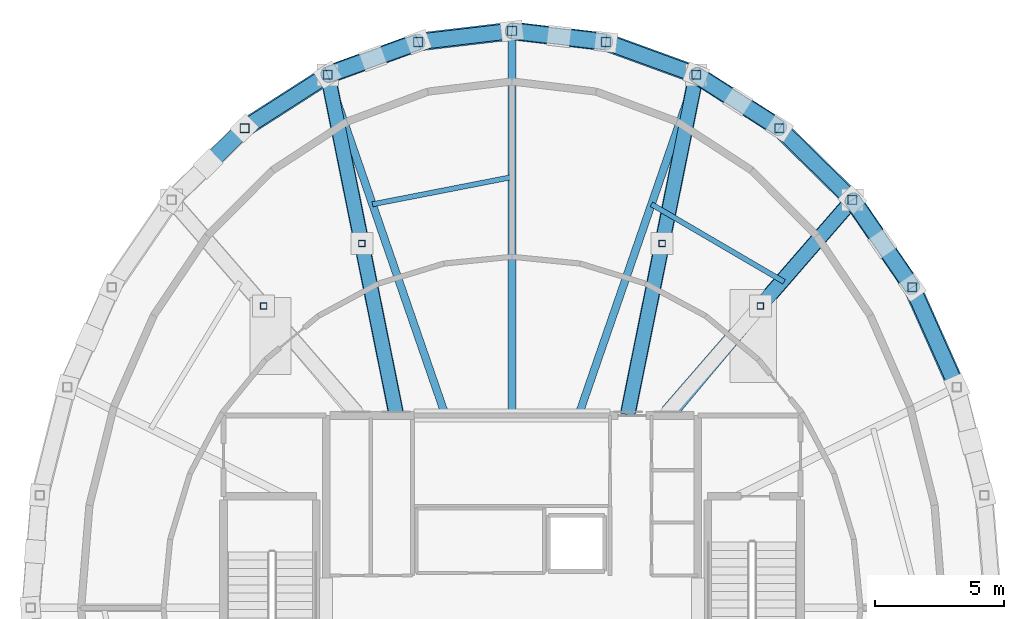
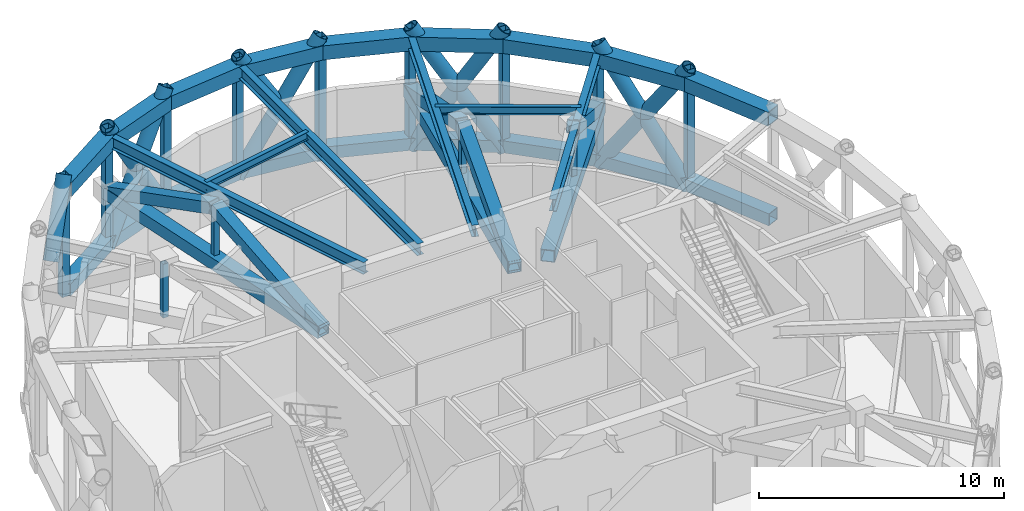
# One storey, part 4 of 11: 31 members, 27 beams.
"""IFC4 building model written with IfcOpenShell, lengths in metres."""

from ifc_helpers import new_model, si_unit, direction, frame, origin, origin_2d, place, context, subcontext, project, spatial, hollow_rectangle, hollow_circle, i_section, extrude, material, material_profile, profile_set, type_object, element, save


model = new_model("IFC4")

# Units and contexts
model_context = context("Model", 3, precision=1e-05, world=origin(), true_north=direction((0.0, 1.0)))
body_context = subcontext(model_context, "Body", "Model", "MODEL_VIEW")
ifc_project = project(units=[si_unit("LENGTHUNIT", "METRE"), si_unit("AREAUNIT", "SQUARE_METRE"), si_unit("VOLUMEUNIT", "CUBIC_METRE"), si_unit("PLANEANGLEUNIT", "RADIAN"), si_unit("MASSUNIT", "GRAM", prefix="KILO")], contexts=[model_context])

# Site, building, storey
site_placement = place(None, origin())
site = spatial("IfcSite", under=ifc_project, at=site_placement, CompositionType="ELEMENT")
building_placement = place(site_placement, origin())
building = spatial("IfcBuilding", under=site, at=building_placement, Name="Veldorina Hangang Commons", CompositionType="ELEMENT")
storey_placement = place(building_placement, frame((0.0, 0.0, 302.39990234375)))
storey = spatial("IfcBuildingStorey", under=building, at=storey_placement, Name="L79", CompositionType="ELEMENT", Elevation=302.39990234375)

# Beams
ifc_material_1 = material(Name="Steel SM460-TMC", Category="steel")
ifc_material_profile_1 = material_profile(ifc_material_1, hollow_rectangle(XDim=0.60009765625, YDim=0.60009765625, WallThickness=0.030029296875, at=origin_2d()), Name="BOX-600x600x30")
ifc_profile_set_1 = profile_set([ifc_material_profile_1], Name="Steel SM460-TMC")
beam_type_1 = type_object("IfcBeamType", Name="BM-BLT600", PredefinedType="BEAM", material=ifc_profile_set_1)
beam_1_placement = place(storey_placement, frame((49.23046875, 32.552978515625, 0.300048828125), z_axis=(-0.407380183428, 0.913258663331, 0.0), x_axis=(-0.913258663331, -0.407380183428, 0.0)))
element("IfcBeam", 1, at=beam_1_placement, inside=storey, type_object=beam_type_1, Name="L79 perimeter belt truss bottom chord 02", PredefinedType="BEAM", context=body_context, shape_type="SweptSolid", body=[
    extrude(hollow_rectangle(XDim=0.60009765625, YDim=0.60009765625, WallThickness=0.030029296875, at=origin_2d()), origin(), (0.0, 0.0, 1.0), 4.23095703125),
])
beam_2_placement = place(storey_placement, frame((47.5068359375, 36.4169921875, 0.300048828125), z_axis=(-0.565033546044, 0.825067931655, 0.0), x_axis=(-0.825067931655, -0.565033546044, 0.0)))
element("IfcBeam", 2, at=beam_2_placement, inside=storey, type_object=beam_type_1, Name="L79 perimeter belt truss bottom chord 03", PredefinedType="BEAM", context=body_context, shape_type="SweptSolid", body=[
    extrude(hollow_rectangle(XDim=0.60009765625, YDim=0.60009765625, WallThickness=0.030029296875, at=origin_2d()), origin(), (0.0, 0.0, 1.0), 4.104736328125),
])
beam_3_placement = place(storey_placement, frame((45.1875, 39.8037109375, 0.300048828125), z_axis=(-0.71296414879, 0.701200486694, 0.0), x_axis=(-0.701200486694, -0.71296414879, 0.0)))
element("IfcBeam", 3, at=beam_3_placement, inside=storey, type_object=beam_type_1, Name="L79 perimeter belt truss bottom chord 04", PredefinedType="BEAM", context=body_context, shape_type="SweptSolid", body=[
    extrude(hollow_rectangle(XDim=0.60009765625, YDim=0.60009765625, WallThickness=0.030029296875, at=origin_2d()), origin(), (0.0, 0.0, 1.0), 3.9638671875),
])
beam_4_placement = place(storey_placement, frame((42.361328125, 42.583251953125, 0.300048828125), z_axis=(-0.84205364247, 0.539393792329, 0.0), x_axis=(-0.539393792329, -0.84205364247, 0.0)))
element("IfcBeam", 4, at=beam_4_placement, inside=storey, type_object=beam_type_1, Name="L79 perimeter belt truss bottom chord 05", PredefinedType="BEAM", context=body_context, shape_type="SweptSolid", body=[
    extrude(hollow_rectangle(XDim=0.60009765625, YDim=0.60009765625, WallThickness=0.030029296875, at=origin_2d()), origin(), (0.0, 0.0, 1.0), 3.8291015625),
])
beam_5_placement = place(storey_placement, frame((39.136962890625, 44.648681640625, 0.300048828125), z_axis=(-0.939812570501, 0.341690404209, 0.0), x_axis=(-0.341690404209, -0.939812570501, 0.0)))
element("IfcBeam", 5, at=beam_5_placement, inside=storey, type_object=beam_type_1, Name="L79 perimeter belt truss bottom chord 06", PredefinedType="BEAM", context=body_context, shape_type="SweptSolid", body=[
    extrude(hollow_rectangle(XDim=0.60009765625, YDim=0.60009765625, WallThickness=0.030029296875, at=origin_2d()), origin(), (0.0, 0.0, 1.0), 3.72265625),
])
for number, where, z_axis, x_axis, name in (
    (6, (35.638427734375, 45.920654296875, 0.300048828125), (-0.993106411409, 0.117216277103, 0.0), (-0.117216277103, -0.993106411409, 0.0), "L79 perimeter belt truss bottom chord 07"),
    (7, (32.0, 46.35009765625, 0.300048828125), (-0.993106411409, -0.117216277103, 0.0), (0.117216277103, -0.993106411409, 0.0), "L79 perimeter belt truss bottom chord 08"),
):
    element("IfcBeam", number, at=place(storey_placement, frame(where, z_axis=z_axis, x_axis=x_axis)), inside=storey, type_object=beam_type_1, Name=name, PredefinedType="BEAM", context=body_context, shape_type="SweptSolid", body=[
        extrude(hollow_rectangle(XDim=0.60009765625, YDim=0.60009765625, WallThickness=0.030029296875, at=origin_2d()), origin(), (0.0, 0.0, 1.0), 3.66357421875),
    ])
beam_6_placement = place(storey_placement, frame((28.361572265625, 45.920654296875, 0.300048828125), z_axis=(-0.939812570501, -0.341690404209, 0.0), x_axis=(0.341690404209, -0.939812570501, 0.0)))
element("IfcBeam", 8, at=beam_6_placement, inside=storey, type_object=beam_type_1, Name="L79 perimeter belt truss bottom chord 09", PredefinedType="BEAM", context=body_context, shape_type="SweptSolid", body=[
    extrude(hollow_rectangle(XDim=0.60009765625, YDim=0.60009765625, WallThickness=0.030029296875, at=origin_2d()), origin(), (0.0, 0.0, 1.0), 3.72265625),
])
beam_7_placement = place(storey_placement, frame((24.863037109375, 44.648681640625, 0.300048828125), z_axis=(-0.84205364247, -0.539393792329, 0.0), x_axis=(0.539393792329, -0.84205364247, 0.0)))
element("IfcBeam", 9, at=beam_7_placement, inside=storey, type_object=beam_type_1, Name="L79 perimeter belt truss bottom chord 10", PredefinedType="BEAM", context=body_context, shape_type="SweptSolid", body=[
    extrude(hollow_rectangle(XDim=0.60009765625, YDim=0.60009765625, WallThickness=0.030029296875, at=origin_2d()), origin(), (0.0, 0.0, 1.0), 3.8291015625),
])
beam_8_placement = place(storey_placement, frame((38.050048828125, 31.580078125, 2.85009765625), z_axis=(0.655470688374, 0.755220614578, 0.0), x_axis=(-0.755220614578, 0.655470688374, 0.0)))
element("IfcBeam", 10, at=beam_8_placement, inside=storey, type_object=beam_type_1, Name="L79 outrigger chord 01", PredefinedType="BEAM", context=body_context, shape_type="SweptSolid", body=[
    extrude(hollow_rectangle(XDim=0.60009765625, YDim=0.60009765625, WallThickness=0.030029296875, at=origin_2d()), origin(), (0.0, 0.0, 1.0), 10.88916015625),
])
for number, where, z_axis, x_axis, name in (
    (11, (36.5, 31.580078125, 2.85009765625), (0.197792136691, 0.980243985273, 0.0), (-0.980243985273, 0.197792136691, 0.0), "L79 outrigger chord 02"),
    (12, (27.5, 31.580078125, 2.85009765625), (-0.197792136691, 0.980243985273, 0.0), (-0.980243985273, -0.197792136691, 0.0), "L79 outrigger chord 03"),
):
    element("IfcBeam", number, at=place(storey_placement, frame(where, z_axis=z_axis, x_axis=x_axis)), inside=storey, type_object=beam_type_1, Name=name, PredefinedType="BEAM", context=body_context, shape_type="SweptSolid", body=[
        extrude(hollow_rectangle(XDim=0.60009765625, YDim=0.60009765625, WallThickness=0.030029296875, at=origin_2d()), origin(), (0.0, 0.0, 1.0), 13.33203125),
    ])
ifc_material_profile_2 = material_profile(ifc_material_1, hollow_rectangle(XDim=0.699951171875, YDim=0.699951171875, WallThickness=0.034912109375, at=origin_2d()), Name="BOX-700x700x35")
ifc_profile_set_2 = profile_set([ifc_material_profile_2], Name="Steel SM460-TMC")
beam_type_2 = type_object("IfcBeamType", Name="BM-BLT700", PredefinedType="BEAM", material=ifc_profile_set_2)
beam_9_placement = place(storey_placement, frame((49.23046875, 32.552978515625, 5.330078125), z_axis=(-0.407380183428, 0.913258663331, 0.0), x_axis=(-0.913258663331, -0.407380183428, 0.0)))
element("IfcBeam", 13, at=beam_9_placement, inside=storey, type_object=beam_type_2, Name="L79 perimeter hoop ring beam 02", PredefinedType="BEAM", context=body_context, shape_type="SweptSolid", body=[
    extrude(hollow_rectangle(XDim=0.699951171875, YDim=0.699951171875, WallThickness=0.034912109375, at=origin_2d()), origin(), (0.0, 0.0, 1.0), 4.23095703125),
])
beam_10_placement = place(storey_placement, frame((47.5068359375, 36.4169921875, 5.330078125), z_axis=(-0.565033546044, 0.825067931655, 0.0), x_axis=(-0.825067931655, -0.565033546044, 0.0)))
element("IfcBeam", 14, at=beam_10_placement, inside=storey, type_object=beam_type_2, Name="L79 perimeter hoop ring beam 03", PredefinedType="BEAM", context=body_context, shape_type="SweptSolid", body=[
    extrude(hollow_rectangle(XDim=0.699951171875, YDim=0.699951171875, WallThickness=0.034912109375, at=origin_2d()), origin(), (0.0, 0.0, 1.0), 4.104736328125),
])
beam_11_placement = place(storey_placement, frame((45.1875, 39.8037109375, 5.330078125), z_axis=(-0.71296414879, 0.701200486694, 0.0), x_axis=(-0.701200486694, -0.71296414879, 0.0)))
element("IfcBeam", 15, at=beam_11_placement, inside=storey, type_object=beam_type_2, Name="L79 perimeter hoop ring beam 04", PredefinedType="BEAM", context=body_context, shape_type="SweptSolid", body=[
    extrude(hollow_rectangle(XDim=0.699951171875, YDim=0.699951171875, WallThickness=0.034912109375, at=origin_2d()), origin(), (0.0, 0.0, 1.0), 3.9638671875),
])
beam_12_placement = place(storey_placement, frame((42.361328125, 42.583251953125, 5.330078125), z_axis=(-0.84205364247, 0.539393792329, 0.0), x_axis=(-0.539393792329, -0.84205364247, 0.0)))
element("IfcBeam", 16, at=beam_12_placement, inside=storey, type_object=beam_type_2, Name="L79 perimeter hoop ring beam 05", PredefinedType="BEAM", context=body_context, shape_type="SweptSolid", body=[
    extrude(hollow_rectangle(XDim=0.699951171875, YDim=0.699951171875, WallThickness=0.034912109375, at=origin_2d()), origin(), (0.0, 0.0, 1.0), 3.8291015625),
])
beam_13_placement = place(storey_placement, frame((39.136962890625, 44.648681640625, 5.330078125), z_axis=(-0.939812570501, 0.341690404209, 0.0), x_axis=(-0.341690404209, -0.939812570501, 0.0)))
element("IfcBeam", 17, at=beam_13_placement, inside=storey, type_object=beam_type_2, Name="L79 perimeter hoop ring beam 06", PredefinedType="BEAM", context=body_context, shape_type="SweptSolid", body=[
    extrude(hollow_rectangle(XDim=0.699951171875, YDim=0.699951171875, WallThickness=0.034912109375, at=origin_2d()), origin(), (0.0, 0.0, 1.0), 3.72265625),
])
for number, where, z_axis, x_axis, name in (
    (18, (35.638427734375, 45.920654296875, 5.330078125), (-0.993106411409, 0.117216277103, 0.0), (-0.117216277103, -0.993106411409, 0.0), "L79 perimeter hoop ring beam 07"),
    (19, (32.0, 46.35009765625, 5.330078125), (-0.993106411409, -0.117216277103, 0.0), (0.117216277103, -0.993106411409, 0.0), "L79 perimeter hoop ring beam 08"),
):
    element("IfcBeam", number, at=place(storey_placement, frame(where, z_axis=z_axis, x_axis=x_axis)), inside=storey, type_object=beam_type_2, Name=name, PredefinedType="BEAM", context=body_context, shape_type="SweptSolid", body=[
        extrude(hollow_rectangle(XDim=0.699951171875, YDim=0.699951171875, WallThickness=0.034912109375, at=origin_2d()), origin(), (0.0, 0.0, 1.0), 3.66357421875),
    ])
beam_14_placement = place(storey_placement, frame((28.361572265625, 45.920654296875, 5.330078125), z_axis=(-0.939812570501, -0.341690404209, 0.0), x_axis=(0.341690404209, -0.939812570501, 0.0)))
element("IfcBeam", 20, at=beam_14_placement, inside=storey, type_object=beam_type_2, Name="L79 perimeter hoop ring beam 09", PredefinedType="BEAM", context=body_context, shape_type="SweptSolid", body=[
    extrude(hollow_rectangle(XDim=0.699951171875, YDim=0.699951171875, WallThickness=0.034912109375, at=origin_2d()), origin(), (0.0, 0.0, 1.0), 3.72265625),
])
beam_15_placement = place(storey_placement, frame((24.863037109375, 44.648681640625, 5.330078125), z_axis=(-0.84205364247, -0.539393792329, 0.0), x_axis=(0.539393792329, -0.84205364247, 0.0)))
element("IfcBeam", 21, at=beam_15_placement, inside=storey, type_object=beam_type_2, Name="L79 perimeter hoop ring beam 10", PredefinedType="BEAM", context=body_context, shape_type="SweptSolid", body=[
    extrude(hollow_rectangle(XDim=0.699951171875, YDim=0.699951171875, WallThickness=0.034912109375, at=origin_2d()), origin(), (0.0, 0.0, 1.0), 3.8291015625),
])
ifc_material_profile_3 = material_profile(ifc_material_1, i_section(OverallWidth=0.300048828125, OverallDepth=0.587890625, WebThickness=0.011962890625, FlangeThickness=0.02001953125, FilletRadius=0.01806640625, at=origin_2d()), Name="H-588x300x12x20")
ifc_profile_set_3 = profile_set([ifc_material_profile_3], Name="Steel SM460-TMC")
beam_type_3 = type_object("IfcBeamType", Name="BM-FG588", PredefinedType="BEAM", material=ifc_profile_set_3)
beam_16_placement = place(storey_placement, frame((38.216796875, 31.449951171875, 5.385986328125), z_axis=(0.640685284005, 0.767803599145, 0.0), x_axis=(-0.767803599145, 0.640685284005, 0.0)))
element("IfcBeam", 22, at=beam_16_placement, inside=storey, type_object=beam_type_3, Name="L79 radial floor girder 03", PredefinedType="BEAM", context=body_context, shape_type="SweptSolid", body=[
    extrude(i_section(OverallWidth=0.300048828125, OverallDepth=0.587890625, WebThickness=0.011962890625, FlangeThickness=0.02001953125, FilletRadius=0.01806640625, at=origin_2d()), origin(), (0.0, 0.0, 1.0), 10.880126953125),
])
beam_17_placement = place(storey_placement, frame((34.574951171875, 31.449951171875, 5.385986328125), z_axis=(0.32667700173, 0.945136041288, 0.0), x_axis=(-0.945136041288, 0.32667700173, 0.0)))
element("IfcBeam", 23, at=beam_17_placement, inside=storey, type_object=beam_type_3, Name="L79 radial floor girder 04", PredefinedType="BEAM", context=body_context, shape_type="SweptSolid", body=[
    extrude(i_section(OverallWidth=0.300048828125, OverallDepth=0.587890625, WebThickness=0.011962890625, FlangeThickness=0.02001953125, FilletRadius=0.01806640625, at=origin_2d()), origin(), (0.0, 0.0, 1.0), 13.96484375),
])
beam_18_placement = place(storey_placement, frame((32.0, 31.449951171875, 5.385986328125), z_axis=(0.0, 1.0, 0.0), x_axis=(-1.0, 0.0, 0.0)))
element("IfcBeam", 24, at=beam_18_placement, inside=storey, type_object=beam_type_3, Name="L79 radial floor girder 05", PredefinedType="BEAM", context=body_context, shape_type="SweptSolid", body=[
    extrude(i_section(OverallWidth=0.300048828125, OverallDepth=0.587890625, WebThickness=0.011962890625, FlangeThickness=0.02001953125, FilletRadius=0.01806640625, at=origin_2d()), origin(), (0.0, 0.0, 1.0), 14.900146484375),
])
beam_19_placement = place(storey_placement, frame((29.425048828125, 31.449951171875, 5.385986328125), z_axis=(-0.32667700173, 0.945136041288, 0.0), x_axis=(-0.945136041288, -0.32667700173, 0.0)))
element("IfcBeam", 25, at=beam_19_placement, inside=storey, type_object=beam_type_3, Name="L79 radial floor girder 06", PredefinedType="BEAM", context=body_context, shape_type="SweptSolid", body=[
    extrude(i_section(OverallWidth=0.300048828125, OverallDepth=0.587890625, WebThickness=0.011962890625, FlangeThickness=0.02001953125, FilletRadius=0.01806640625, at=origin_2d()), origin(), (0.0, 0.0, 1.0), 13.96484375),
])
ifc_material_2 = material(Name="Steel SM355-TMC", Category="steel")
ifc_material_profile_4 = material_profile(ifc_material_2, i_section(OverallWidth=0.199951171875, OverallDepth=0.39990234375, WebThickness=0.008056640625, FlangeThickness=0.012939453125, FilletRadius=0.012939453125, at=origin_2d()), Name="H-400x200x8x13")
ifc_profile_set_4 = profile_set([ifc_material_profile_4], Name="Steel SM355-TMC")
beam_type_4 = type_object("IfcBeamType", Name="BM-JST400", PredefinedType="JOIST", material=ifc_profile_set_4)
beam_20_placement = place(storey_placement, frame((42.53857421875, 36.62939453125, 5.47998046875), z_axis=(-0.863168031084, 0.504916775433, 0.0), x_axis=(-0.504916775433, -0.863168031084, 0.0)))
element("IfcBeam", 26, at=beam_20_placement, inside=storey, type_object=beam_type_4, Name="L79 secondary floor joist 03", PredefinedType="JOIST", context=body_context, shape_type="SweptSolid", body=[
    extrude(i_section(OverallWidth=0.199951171875, OverallDepth=0.39990234375, WebThickness=0.008056640625, FlangeThickness=0.012939453125, FilletRadius=0.012939453125, at=origin_2d()), origin(), (0.0, 0.0, 1.0), 5.94921875),
])
beam_21_placement = place(storey_placement, frame((32.0, 40.68798828125, 5.47998046875), z_axis=(-0.981477578054, -0.191577043972, 0.0), x_axis=(0.191577043972, -0.981477578054, 0.0)))
element("IfcBeam", 27, at=beam_21_placement, inside=storey, type_object=beam_type_4, Name="L79 secondary floor joist 05", PredefinedType="JOIST", context=body_context, shape_type="SweptSolid", body=[
    extrude(i_section(OverallWidth=0.199951171875, OverallDepth=0.39990234375, WebThickness=0.008056640625, FlangeThickness=0.012939453125, FilletRadius=0.012939453125, at=origin_2d()), origin(), (0.0, 0.0, 1.0), 5.50537109375),
])

# Members
ifc_material_profile_5 = material_profile(ifc_material_1, hollow_circle(Radius=0.324951171875, WallThickness=0.031982421875, at=origin_2d()), Name="CHS-650x32")
ifc_profile_set_5 = profile_set([ifc_material_profile_5], Name="Steel SM460-TMC")
member_type_1 = type_object("IfcMemberType", Name="DG-CHS650", PredefinedType="BRACE", material=ifc_profile_set_5)
member_1_placement = place(storey_placement, frame((47.5068359375, 36.4169921875, 0.0), z_axis=(-0.319039545567, 0.465864902747, 0.825338512826), x_axis=(-0.825067931655, -0.565033546044, 0.0)))
element("IfcMember", 28, at=member_1_placement, inside=storey, type_object=member_type_1, Name="L79 continuous perimeter diagrid brace 03", PredefinedType="BRACE", context=body_context, shape_type="SweptSolid", body=[
    extrude(hollow_circle(Radius=0.324951171875, WallThickness=0.031982421875, at=origin_2d()), origin(), (0.0, 0.0, 1.0), 7.269775390625),
])
for number, where, z_axis, x_axis, name in (
    (29, (45.1875, 39.8037109375, 0.0), (0.319039545567, -0.465864902747, 0.825338512826), (0.825067931655, 0.565033546044, 0.0), "L79 split perimeter diagrid lower brace 04"),
    (30, (46.34716796875, 38.1103515625, 3.0), (0.319039545567, -0.465864902747, 0.825338512826), (0.825067931655, 0.565033546044, 0.0), "L79 split perimeter diagrid upper brace 04"),
):
    element("IfcMember", number, at=place(storey_placement, frame(where, z_axis=z_axis, x_axis=x_axis)), inside=storey, type_object=member_type_1, Name=name, PredefinedType="BRACE", context=body_context, shape_type="SweptSolid", body=[
        extrude(hollow_circle(Radius=0.324951171875, WallThickness=0.031982421875, at=origin_2d()), origin(), (0.0, 0.0, 1.0), 3.634765625),
    ])
member_2_placement = place(storey_placement, frame((42.361328125, 42.583251953125, 0.0), z_axis=(-0.453002698216, 0.290179664337, 0.842961634841), x_axis=(-0.539393792329, -0.84205364247, 0.0)))
element("IfcMember", 31, at=member_2_placement, inside=storey, type_object=member_type_1, Name="L79 continuous perimeter diagrid brace 05", PredefinedType="BRACE", context=body_context, shape_type="SweptSolid", body=[
    extrude(hollow_circle(Radius=0.324951171875, WallThickness=0.031982421875, at=origin_2d()), origin(), (0.0, 0.0, 1.0), 7.11767578125),
])
for number, where, z_axis, x_axis, name in (
    (32, (39.136962890625, 44.648681640625, 0.0), (0.453029958984, -0.290175155437, 0.842948536644), (0.539364834717, 0.842072191128, 0.0), "L79 split perimeter diagrid lower brace 06"),
    (33, (40.749267578125, 43.615966796875, 3.0), (0.452975436177, -0.290184173107, 0.842974732657), (0.539422752413, 0.842035090824, 0.0), "L79 split perimeter diagrid upper brace 06"),
):
    element("IfcMember", number, at=place(storey_placement, frame(where, z_axis=z_axis, x_axis=x_axis)), inside=storey, type_object=member_type_1, Name=name, PredefinedType="BRACE", context=body_context, shape_type="SweptSolid", body=[
        extrude(hollow_circle(Radius=0.324951171875, WallThickness=0.031982421875, at=origin_2d()), origin(), (0.0, 0.0, 1.0), 3.558837890625),
    ])
member_3_placement = place(storey_placement, frame((35.638427734375, 45.920654296875, 0.0), z_axis=(-0.51754850193, 0.06108621183, 0.853470575283), x_axis=(-0.117216277103, -0.993106411409, 0.0)))
element("IfcMember", 34, at=member_3_placement, inside=storey, type_object=member_type_1, Name="L79 continuous perimeter diagrid brace 07", PredefinedType="BRACE", context=body_context, shape_type="SweptSolid", body=[
    extrude(hollow_circle(Radius=0.324951171875, WallThickness=0.031982421875, at=origin_2d()), origin(), (0.0, 0.0, 1.0), 7.030029296875),
])
member_4_placement = place(storey_placement, frame((32.0, 46.35009765625, 0.0), z_axis=(0.517521977289, -0.061121908471, 0.853484103735), x_axis=(0.117289760722, 0.993097735386, 0.0)))
element("IfcMember", 35, at=member_4_placement, inside=storey, type_object=member_type_1, Name="L79 split perimeter diagrid lower brace 08", PredefinedType="BRACE", context=body_context, shape_type="SweptSolid", body=[
    extrude(hollow_circle(Radius=0.324951171875, WallThickness=0.031982421875, at=origin_2d()), origin(), (0.0, 0.0, 1.0), 3.514892578125),
])
member_5_placement = place(storey_placement, frame((33.819091796875, 46.13525390625, 3.0), z_axis=(0.517575024613, -0.061050516188, 0.853457045416), x_axis=(0.11714280142, 0.993115080983, 0.0)))
element("IfcMember", 36, at=member_5_placement, inside=storey, type_object=member_type_1, Name="L79 split perimeter diagrid upper brace 08", PredefinedType="BRACE", context=body_context, shape_type="SweptSolid", body=[
    extrude(hollow_circle(Radius=0.324951171875, WallThickness=0.031982421875, at=origin_2d()), origin(), (0.0, 0.0, 1.0), 3.51513671875),
])
member_6_placement = place(storey_placement, frame((28.361572265625, 45.920654296875, 0.0), z_axis=(-0.495473332743, -0.180140688318, 0.849738494452), x_axis=(0.341690404209, -0.939812570501, 0.0)))
element("IfcMember", 37, at=member_6_placement, inside=storey, type_object=member_type_1, Name="L79 continuous perimeter diagrid brace 09", PredefinedType="BRACE", context=body_context, shape_type="SweptSolid", body=[
    extrude(hollow_circle(Radius=0.324951171875, WallThickness=0.031982421875, at=origin_2d()), origin(), (0.0, 0.0, 1.0), 7.06103515625),
])
for number, where, z_axis, x_axis, name in (
    (38, (24.863037109375, 44.648681640625, 0.0), (0.495473332743, 0.180140688318, 0.849738494452), (-0.341690404209, 0.939812570501, 0.0), "L79 split perimeter diagrid lower brace 10"),
    (39, (26.6123046875, 45.28466796875, 3.0), (0.495473332743, 0.180140688318, 0.849738494452), (-0.341690404209, 0.939812570501, 0.0), "L79 split perimeter diagrid upper brace 10"),
):
    element("IfcMember", number, at=place(storey_placement, frame(where, z_axis=z_axis, x_axis=x_axis)), inside=storey, type_object=member_type_1, Name=name, PredefinedType="BRACE", context=body_context, shape_type="SweptSolid", body=[
        extrude(hollow_circle(Radius=0.324951171875, WallThickness=0.031982421875, at=origin_2d()), origin(), (0.0, 0.0, 1.0), 3.530517578125),
    ])
member_7_placement = place(storey_placement, frame((20.2255859375, 41.193603515625, 3.0), z_axis=(0.393010361524, 0.386491875915, 0.834366157983), x_axis=(-0.701169177442, 0.712994940098, 0.0)))
element("IfcMember", 40, at=member_7_placement, inside=storey, type_object=member_type_1, Name="L79 split perimeter diagrid upper brace 12", PredefinedType="BRACE", context=body_context, shape_type="SweptSolid", body=[
    extrude(hollow_circle(Radius=0.324951171875, WallThickness=0.031982421875, at=origin_2d()), origin(), (0.0, 0.0, 1.0), 3.595458984375),
])
ifc_material_3 = material(Name="Steel SM420-TMC", Category="steel")
ifc_material_profile_6 = material_profile(ifc_material_3, hollow_rectangle(XDim=0.550048828125, YDim=0.550048828125, WallThickness=0.02490234375, at=origin_2d()), Name="BOX-550x550x25")
ifc_profile_set_6 = profile_set([ifc_material_profile_6], Name="Steel SM420-TMC")
member_type_2 = type_object("IfcMemberType", Name="OR-BOX550", PredefinedType="BRACE", material=ifc_profile_set_6)
member_8_placement = place(storey_placement, frame((41.61865234375, 35.69189453125, 5.530029296875), z_axis=(0.588101463726, 0.677575923661, -0.44161922064), x_axis=(-0.7552095158, 0.655483475951, 0.0)))
element("IfcMember", 41, at=member_8_placement, inside=storey, type_object=member_type_2, Name="L79 outrigger outer web diagonal 01", PredefinedType="BRACE", context=body_context, shape_type="SweptSolid", body=[
    extrude(hollow_rectangle(XDim=0.550048828125, YDim=0.550048828125, WallThickness=0.02490234375, at=origin_2d()), origin(), (0.0, 0.0, 1.0), 6.068359375),
])
member_9_placement = place(storey_placement, frame((36.5, 31.580078125, 2.85009765625), z_axis=(0.1835302135, 0.90949567938, 0.373007064172), x_axis=(-0.980241151156, 0.197806181857, 0.0)))
element("IfcMember", 42, at=member_9_placement, inside=storey, type_object=member_type_2, Name="L79 outrigger inner web diagonal 02", PredefinedType="BRACE", context=body_context, shape_type="SweptSolid", body=[
    extrude(hollow_rectangle(XDim=0.550048828125, YDim=0.550048828125, WallThickness=0.02490234375, at=origin_2d()), origin(), (0.0, 0.0, 1.0), 7.1845703125),
])
member_10_placement = place(storey_placement, frame((37.818603515625, 38.114501953125, 5.530029296875), z_axis=(0.183503048279, 0.909495478542, -0.373020918695), x_axis=(-0.980246819311, 0.197778090879, 0.0)))
element("IfcMember", 43, at=member_10_placement, inside=storey, type_object=member_type_2, Name="L79 outrigger outer web diagonal 02", PredefinedType="BRACE", context=body_context, shape_type="SweptSolid", body=[
    extrude(hollow_rectangle(XDim=0.550048828125, YDim=0.550048828125, WallThickness=0.02490234375, at=origin_2d()), origin(), (0.0, 0.0, 1.0), 7.184326171875),
])
member_11_placement = place(storey_placement, frame((27.5, 31.580078125, 2.85009765625), z_axis=(-0.1835302135, 0.90949567938, 0.373007064172), x_axis=(-0.980241151156, -0.197806181857, 0.0)))
element("IfcMember", 44, at=member_11_placement, inside=storey, type_object=member_type_2, Name="L79 outrigger inner web diagonal 03", PredefinedType="BRACE", context=body_context, shape_type="SweptSolid", body=[
    extrude(hollow_rectangle(XDim=0.550048828125, YDim=0.550048828125, WallThickness=0.02490234375, at=origin_2d()), origin(), (0.0, 0.0, 1.0), 7.1845703125),
])
member_12_placement = place(storey_placement, frame((26.181396484375, 38.114501953125, 5.530029296875), z_axis=(-0.183503048279, 0.909495478542, -0.373020918695), x_axis=(-0.980246819311, -0.197778090879, 0.0)))
element("IfcMember", 45, at=member_12_placement, inside=storey, type_object=member_type_2, Name="L79 outrigger outer web diagonal 03", PredefinedType="BRACE", context=body_context, shape_type="SweptSolid", body=[
    extrude(hollow_rectangle(XDim=0.550048828125, YDim=0.550048828125, WallThickness=0.02490234375, at=origin_2d()), origin(), (0.0, 0.0, 1.0), 7.184326171875),
])
ifc_material_profile_7 = material_profile(ifc_material_2, hollow_rectangle(XDim=0.25, YDim=0.25, WallThickness=0.011962890625, at=origin_2d()), Name="SHS-250x250x12")
ifc_profile_set_7 = profile_set([ifc_material_profile_7], Name="Steel SM355-TMC")
member_type_3 = type_object("IfcMemberType", Name="STR-SHS250", PredefinedType="STRUT", material=ifc_profile_set_7)
for number, where, z_axis, x_axis, name in (
    (46, (41.61865234375, 35.69189453125, 2.85009765625), (0.0, 0.0, 1.0), (1.0, 0.0, 0.0), "L79 outrigger mid vertical strut 01"),
    (47, (37.818603515625, 38.114501953125, 2.85009765625), (0.0, 0.0, 1.0), (1.0, 0.0, 0.0), "L79 outrigger mid vertical strut 02"),
    (48, (26.181396484375, 38.114501953125, 2.85009765625), (0.0, 0.0, 1.0), (1.0, 0.0, 0.0), "L79 outrigger mid vertical strut 03"),
    (49, (22.38134765625, 35.69189453125, 2.85009765625), (0.0, 0.0, 1.0), (1.0, 0.0, 0.0), "L79 outrigger mid vertical strut 04"),
):
    element("IfcMember", number, at=place(storey_placement, frame(where, z_axis=z_axis, x_axis=x_axis)), inside=storey, type_object=member_type_3, Name=name, PredefinedType="STRUT", context=body_context, shape_type="SweptSolid", body=[
        extrude(hollow_rectangle(XDim=0.25, YDim=0.25, WallThickness=0.011962890625, at=origin_2d()), origin(), (0.0, 0.0, 1.0), 2.679931640625),
    ])
ifc_material_profile_8 = material_profile(ifc_material_2, hollow_rectangle(XDim=0.35009765625, YDim=0.35009765625, WallThickness=0.01611328125, at=origin_2d()), Name="SHS-350x350x16")
ifc_profile_set_8 = profile_set([ifc_material_profile_8], Name="Steel SM355-TMC")
member_type_4 = type_object("IfcMemberType", Name="STR-SHS350", PredefinedType="STRUT", material=ifc_profile_set_8)
for number, where, z_axis, x_axis, name in (
    (50, (47.5068359375, 36.4169921875, 0.0), (0.0, 0.0, 1.0), (1.0, 0.0, 0.0), "L79 perimeter ring node post 03"),
    (51, (45.1875, 39.8037109375, 0.0), (0.0, 0.0, 1.0), (1.0, 0.0, 0.0), "L79 perimeter ring node post 04"),
    (52, (42.361328125, 42.583251953125, 0.0), (0.0, 0.0, 1.0), (1.0, 0.0, 0.0), "L79 perimeter ring node post 05"),
    (53, (39.136962890625, 44.648681640625, 0.0), (0.0, 0.0, 1.0), (1.0, 0.0, 0.0), "L79 perimeter ring node post 06"),
    (54, (35.638427734375, 45.920654296875, 0.0), (0.0, 0.0, 1.0), (1.0, 0.0, 0.0), "L79 perimeter ring node post 07"),
    (55, (32.0, 46.35009765625, 0.0), (0.0, 0.0, 1.0), (1.0, 0.0, 0.0), "L79 perimeter ring node post 08"),
    (56, (28.361572265625, 45.920654296875, 0.0), (0.0, 0.0, 1.0), (1.0, 0.0, 0.0), "L79 perimeter ring node post 09"),
    (57, (24.863037109375, 44.648681640625, 0.0), (0.0, 0.0, 1.0), (1.0, 0.0, 0.0), "L79 perimeter ring node post 10"),
    (58, (21.638671875, 42.583251953125, 0.0), (0.0, 0.0, 1.0), (1.0, 0.0, 0.0), "L79 perimeter ring node post 11"),
):
    element("IfcMember", number, at=place(storey_placement, frame(where, z_axis=z_axis, x_axis=x_axis)), inside=storey, type_object=member_type_4, Name=name, PredefinedType="STRUT", context=body_context, shape_type="SweptSolid", body=[
        extrude(hollow_rectangle(XDim=0.35009765625, YDim=0.35009765625, WallThickness=0.01611328125, at=origin_2d()), origin(), (0.0, 0.0, 1.0), 6.0),
    ])

save(model, "model.ifc")
